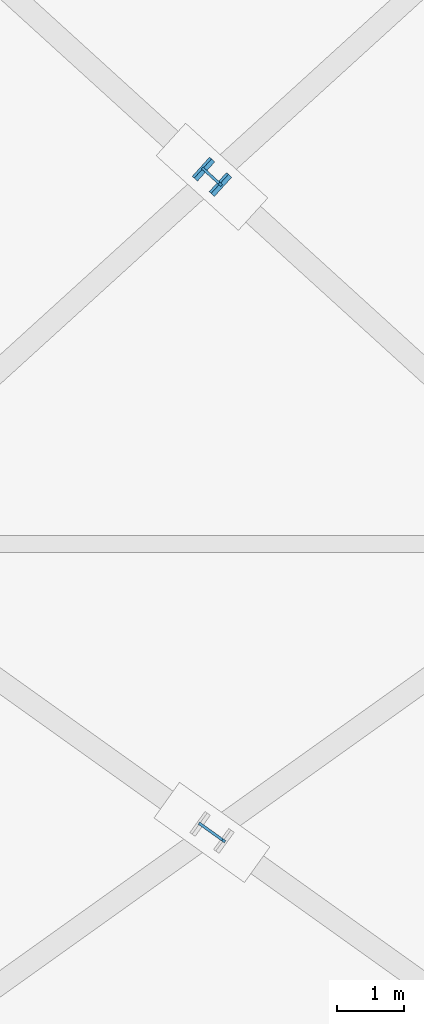
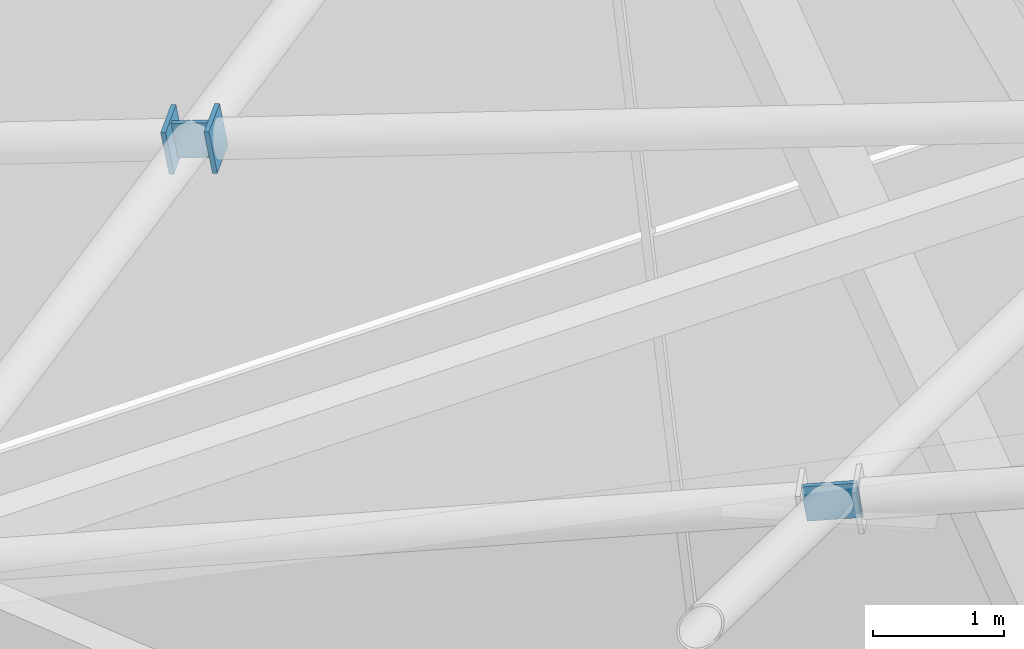
# One storey, part 31 of 32: 4 discrete accessories.
"""IFC4 building model written with IfcOpenShell, lengths in metres."""

from ifc_helpers import new_model, si_unit, direction, frame, origin, origin_2d, place, context, subcontext, project, spatial, rectangle, extrude, source, transform, mapped, material, layer, layer_set, type_object, element, save


model = new_model("IFC4")

# Units and contexts
model_context = context("Model", 3, precision=1e-05, world=origin(), true_north=direction((0.0, 1.0)))
body_context = subcontext(model_context, "Body", "Model", "MODEL_VIEW")
ifc_project = project(units=[si_unit("LENGTHUNIT", "METRE"), si_unit("AREAUNIT", "SQUARE_METRE"), si_unit("VOLUMEUNIT", "CUBIC_METRE"), si_unit("PLANEANGLEUNIT", "RADIAN"), si_unit("MASSUNIT", "GRAM", prefix="KILO")], contexts=[model_context])

# Site, building, storey
site_placement = place(None, origin())
site = spatial("IfcSite", under=ifc_project, at=site_placement, CompositionType="ELEMENT")
building_placement = place(site_placement, origin())
building = spatial("IfcBuilding", under=site, at=building_placement, Name="Sumidabori Civic Tower", CompositionType="ELEMENT")
storey_placement = place(building_placement, frame((0.0, 0.0, 298.199951171875)))
storey = spatial("IfcBuildingStorey", under=building, at=storey_placement, Name="RF Roof Crown", CompositionType="ELEMENT", Elevation=298.199951171875)

# Discrete accessories
ifc_material = material(Name="Steel SN490", Category="steel")
ifc_layer_1 = layer(ifc_material, 0.028076171875, Name="Steel SN490")
ifc_layer_set_1 = layer_set([ifc_layer_1], Name="Steel SN490")
discrete_accessory_type_1 = type_object("IfcDiscreteAccessoryType", Name="AC-CAP-SN490", PredefinedType="USERDEFINED", material=ifc_layer_set_1)
shared_shape_1 = source(origin(), body_context, "Body", "SweptSolid", [
    extrude(rectangle(XDim=0.384033203125, YDim=0.384033203125, at=origin_2d()), origin(), (0.0, 0.0, 1.0), 0.0400390625),
])
discrete_accessory_1_placement = place(storey_placement, frame((-0.140380859375, 11.58203125, 21.157958984375), z_axis=(0.732361113764, -0.659125002388, 0.170884259878), x_axis=(0.668964731622, 0.743294146247, 0.0)))
element("IfcDiscreteAccessory", 1, at=discrete_accessory_1_placement, inside=storey, type_object=discrete_accessory_type_1, Name="Hollow Section End Cap Plate XND-CRN-2 Upper", ObjectType="End Cap Plate", PredefinedType="USERDEFINED", context=body_context, shape_type="MappedRepresentation", body=[
    mapped(shared_shape_1, transform((0.0, 0.0, 0.0), x_axis=(1.0, 0.0, 0.0), y_axis=(0.0, 1.0, 0.0), z_axis=(0.0, 0.0, 1.0), scale=1.0)),
])
ifc_layer_2 = layer(ifc_material, 0.0400390625, Name="Steel SN490")
ifc_layer_set_2 = layer_set([ifc_layer_2], Name="Steel SN490")
discrete_accessory_type_2 = type_object("IfcDiscreteAccessoryType", Name="AC-XND-SN490", PredefinedType="BRACKET", material=ifc_layer_set_2)
shared_shape_2 = source(origin(), body_context, "Body", "SweptSolid", [
    extrude(rectangle(XDim=0.0400390625, YDim=0.320068359375, at=origin_2d()), origin(), (0.0, 0.0, 1.0), 0.43359375),
])
discrete_accessory_2_placement = place(storey_placement, frame((0.17431640625, 1.589599609375, 23.7578125), z_axis=(-0.804146732517, 0.57495365119, -0.150918294338), x_axis=(-0.581615333689, -0.813463953484, 0.0)))
element("IfcDiscreteAccessory", 2, at=discrete_accessory_2_placement, inside=storey, type_object=discrete_accessory_type_2, Name="X-Brace Crossing Gusset Node XND-CRN-1", PredefinedType="BRACKET", context=body_context, shape_type="MappedRepresentation", body=[
    mapped(shared_shape_2, transform((0.0, 0.0, 0.0), x_axis=(1.0, 0.0, 0.0), y_axis=(0.0, 1.0, 0.0), z_axis=(0.0, 0.0, 1.0), scale=1.0)),
])
shared_shape_3 = source(origin(), body_context, "Body", "SweptSolid", [
    extrude(rectangle(XDim=0.384033203125, YDim=0.384033203125, at=origin_2d()), origin(), (0.0, 0.0, 1.0), 0.040283203125),
])
discrete_accessory_3_placement = place(storey_placement, frame((0.140380859375, 11.326904296875, 21.223876953125), z_axis=(-0.729419266461, 0.662555833702, -0.170197828841), x_axis=(-0.672365707038, -0.740219127015, 0.0)))
element("IfcDiscreteAccessory", 3, at=discrete_accessory_3_placement, inside=storey, type_object=discrete_accessory_type_1, Name="Hollow Section End Cap Plate XND-CRN-2 Lower", ObjectType="End Cap Plate", PredefinedType="USERDEFINED", context=body_context, shape_type="MappedRepresentation", body=[
    mapped(shared_shape_3, transform((0.0, 0.0, 0.0), x_axis=(1.0, 0.0, 0.0), y_axis=(0.0, 1.0, 0.0), z_axis=(0.0, 0.0, 1.0), scale=1.0)),
])
shared_shape_4 = source(origin(), body_context, "Body", "SweptSolid", [
    extrude(rectangle(XDim=0.0400390625, YDim=0.320068359375, at=origin_2d()), origin(), (0.0, 0.0, 1.0), 0.3388671875),
])
discrete_accessory_4_placement = place(storey_placement, frame((0.12353515625, 11.34228515625, 21.219970703125), z_axis=(-0.728984796874, 0.662713451704, -0.171441088593), x_axis=(-0.672672793996, -0.739940073396, 0.0)))
element("IfcDiscreteAccessory", 4, at=discrete_accessory_4_placement, inside=storey, type_object=discrete_accessory_type_2, Name="X-Brace Crossing Gusset Node XND-CRN-2", PredefinedType="BRACKET", context=body_context, shape_type="MappedRepresentation", body=[
    mapped(shared_shape_4, transform((0.0, 0.0, 0.0), x_axis=(1.0, 0.0, 0.0), y_axis=(0.0, 1.0, 0.0), z_axis=(0.0, 0.0, 1.0), scale=1.0)),
])

save(model, "model.ifc")
